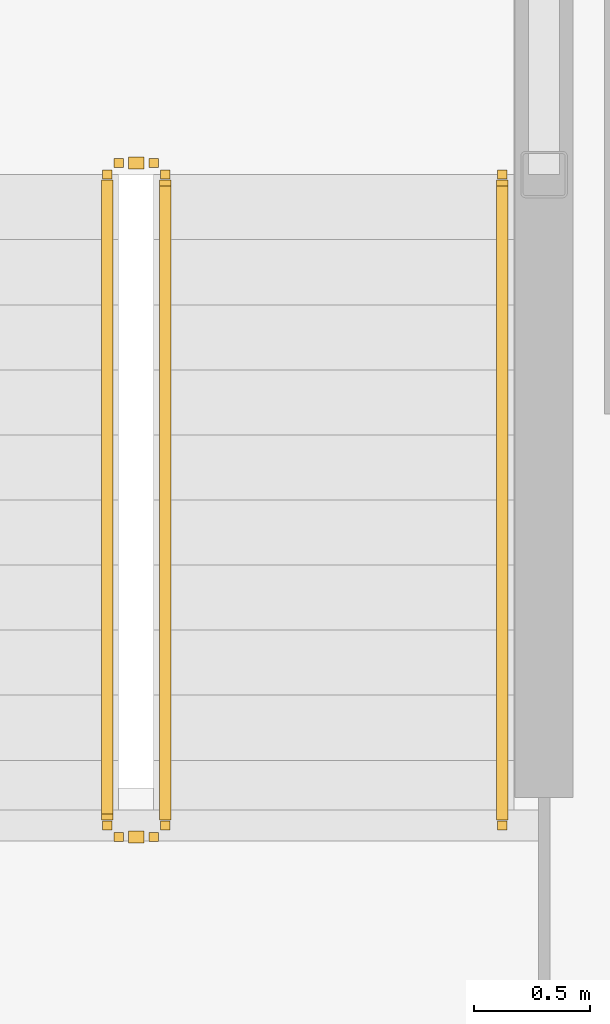
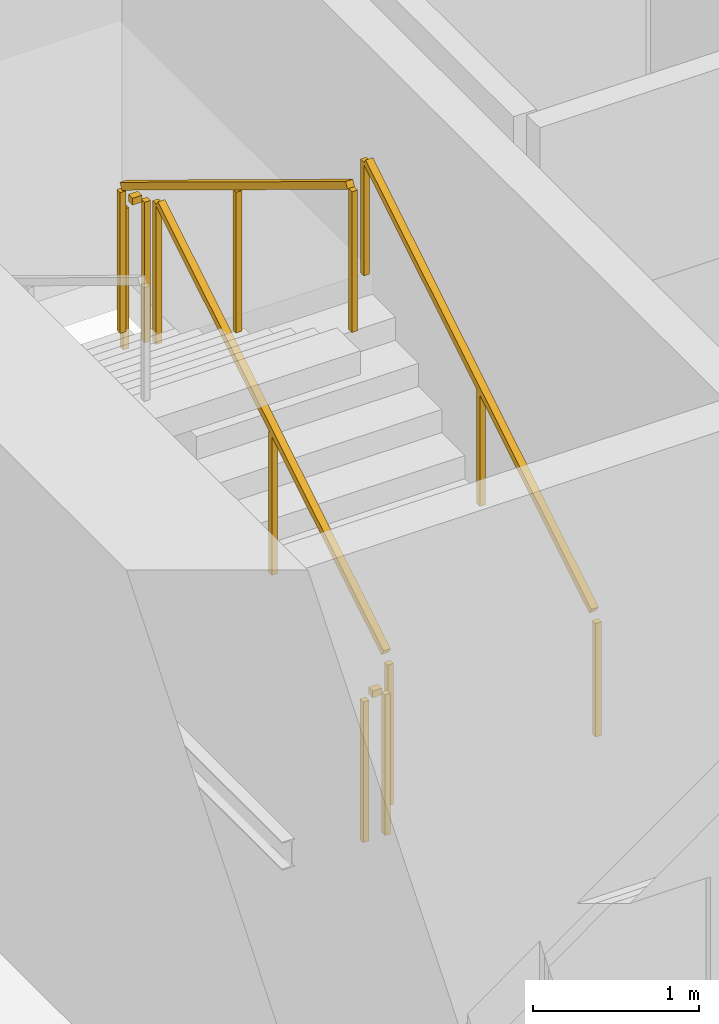
# One storey, part 26 of 31: 5 railings.
"""IFC4 building model written with IfcOpenShell, lengths in metres."""

from ifc_helpers import new_model, si_unit, direction, frame, origin, origin_2d, place, context, subcontext, project, spatial, rectangle, extrude, material, type_object, element, save


model = new_model("IFC4")

# Units and contexts
model_context = context("Model", 3, precision=1e-05, world=origin(), true_north=direction((0.0, 1.0)))
body_context = subcontext(model_context, "Body", "Model", "MODEL_VIEW")
ifc_project = project(units=[si_unit("LENGTHUNIT", "METRE"), si_unit("AREAUNIT", "SQUARE_METRE"), si_unit("VOLUMEUNIT", "CUBIC_METRE"), si_unit("PLANEANGLEUNIT", "RADIAN"), si_unit("MASSUNIT", "GRAM", prefix="KILO")], contexts=[model_context])

# Site, building, storey
site_placement = place(None, origin())
site = spatial("IfcSite", under=ifc_project, at=site_placement, CompositionType="ELEMENT")
building_placement = place(site_placement, origin())
building = spatial("IfcBuilding", under=site, at=building_placement, Name="Kazma Halo Residences", CompositionType="ELEMENT")
storey_placement = place(building_placement, frame((0.0, 0.0, 41.39990234375)))
storey = spatial("IfcBuildingStorey", under=building, at=storey_placement, Name="L09", CompositionType="ELEMENT", Elevation=41.39990234375)

# Railings
ifc_material_1 = material(Name="Painted Steel S355", Category="steel")
railing_type_1 = type_object("IfcRailingType", Name="RLG-STAIR-GRD-1100", PredefinedType="GUARDRAIL", material=ifc_material_1)
railing_1_placement = place(storey_placement, frame((39.550048828125, 39.949951171875, 0.170654296875)))
element("IfcRailing", 1, at=railing_1_placement, inside=storey, type_object=railing_type_1, Name="L09 ST-01 stair guard 1", PredefinedType="GUARDRAIL", context=body_context, shape_type="SweptSolid", body=[
    extrude(rectangle(XDim=0.050048828125, YDim=0.050048828125, at=origin_2d()), frame((0.0, 0.036376953125, 1.09716796875), z_axis=(0.0, 0.854202870247, 0.519939858505), x_axis=(-1.0, 0.0, 0.0)), (0.0, 0.0, 1.0), 3.19287109375),
    extrude(rectangle(XDim=0.0400390625, YDim=0.0400390625, at=origin_2d()), origin(), (0.0, 0.0, 1.0), 1.0380859375),
    extrude(rectangle(XDim=0.0400390625, YDim=0.0400390625, at=origin_2d()), frame((0.0, 1.39990234375, 0.85205078125)), (0.0, 0.0, 1.0), 1.0380859375),
    extrude(rectangle(XDim=0.0400390625, YDim=0.0400390625, at=origin_2d()), frame((0.0, 2.800048828125, 1.704345703125)), (0.0, 0.0, 1.0), 1.0380859375),
])
railing_2_placement = place(storey_placement, frame((39.5, 42.800048828125, 1.875)))
element("IfcRailing", 2, at=railing_2_placement, inside=storey, type_object=railing_type_1, Name="L09 ST-01 stair guard 2", PredefinedType="GUARDRAIL", context=body_context, shape_type="SweptSolid", body=[
    extrude(rectangle(XDim=0.050048828125, YDim=0.050048828125, at=origin_2d()), frame((-0.04248046875, 0.0, 1.0751953125), z_axis=(-1.0, 0.0, 0.0), x_axis=(0.0, -1.0, 0.0)), (0.0, 0.0, 1.0), 0.06494140625),
    extrude(rectangle(XDim=0.0400390625, YDim=0.0400390625, at=origin_2d()), origin(), (0.0, 0.0, 1.0), 1.0380859375),
    extrude(rectangle(XDim=0.0400390625, YDim=0.0400390625, at=origin_2d()), frame((-0.14990234375, 0.0, 0.0)), (0.0, 0.0, 1.0), 1.0380859375),
])
railing_3_placement = place(storey_placement, frame((39.300048828125, 42.75, 2.045654296875)))
element("IfcRailing", 3, at=railing_3_placement, inside=storey, type_object=railing_type_1, Name="L09 ST-01 stair guard 3", PredefinedType="GUARDRAIL", context=body_context, shape_type="SweptSolid", body=[
    extrude(rectangle(XDim=0.050048828125, YDim=0.050048828125, at=origin_2d()), frame((0.0, -0.036376953125, 1.09716796875), z_axis=(0.0, -0.854202870247, 0.519939858505), x_axis=(1.0, 0.0, 0.0)), (0.0, 0.0, 1.0), 3.19287109375),
    extrude(rectangle(XDim=0.0400390625, YDim=0.0400390625, at=origin_2d()), origin(), (0.0, 0.0, 1.0), 1.0380859375),
    extrude(rectangle(XDim=0.0400390625, YDim=0.0400390625, at=origin_2d()), frame((0.0, -1.39990234375, 0.85205078125)), (0.0, 0.0, 1.0), 1.0380859375),
    extrude(rectangle(XDim=0.0400390625, YDim=0.0400390625, at=origin_2d()), frame((0.0, -2.800048828125, 1.704345703125)), (0.0, 0.0, 1.0), 1.0380859375),
])
railing_4_placement = place(storey_placement, frame((39.5, 39.89990234375, 0.0)))
element("IfcRailing", 4, at=railing_4_placement, inside=storey, type_object=railing_type_1, Name="L09 ST-01 stair guard 4", PredefinedType="GUARDRAIL", context=body_context, shape_type="SweptSolid", body=[
    extrude(rectangle(XDim=0.050048828125, YDim=0.050048828125, at=origin_2d()), frame((-0.04248046875, 0.0, 1.0751953125), z_axis=(-1.0, 0.0, 0.0), x_axis=(0.0, -1.0, 0.0)), (0.0, 0.0, 1.0), 0.06494140625),
    extrude(rectangle(XDim=0.0400390625, YDim=0.0400390625, at=origin_2d()), origin(), (0.0, 0.0, 1.0), 1.0380859375),
    extrude(rectangle(XDim=0.0400390625, YDim=0.0400390625, at=origin_2d()), frame((-0.14990234375, 0.0, 0.0)), (0.0, 0.0, 1.0), 1.0380859375),
])
ifc_material_2 = material(Name="Brushed Stainless Steel", Category="steel")
railing_type_2 = type_object("IfcRailingType", Name="RLG-STAIR-HND-900", PredefinedType="HANDRAIL", material=ifc_material_2)
railing_5_placement = place(storey_placement, frame((41.0, 39.949951171875, 0.170654296875)))
element("IfcRailing", 5, at=railing_5_placement, inside=storey, type_object=railing_type_2, Name="L09 ST-01 stair handrail 1", PredefinedType="HANDRAIL", context=body_context, shape_type="SweptSolid", body=[
    extrude(rectangle(XDim=0.050048828125, YDim=0.050048828125, at=origin_2d()), frame((0.0, 0.036376953125, 0.89697265625), z_axis=(0.0, 0.854202870247, 0.519939858505), x_axis=(-1.0, 0.0, 0.0)), (0.0, 0.0, 1.0), 3.19287109375),
    extrude(rectangle(XDim=0.0400390625, YDim=0.0400390625, at=origin_2d()), origin(), (0.0, 0.0, 1.0), 0.837890625),
    extrude(rectangle(XDim=0.0400390625, YDim=0.0400390625, at=origin_2d()), frame((0.0, 1.39990234375, 0.85205078125)), (0.0, 0.0, 1.0), 0.837890625),
    extrude(rectangle(XDim=0.0400390625, YDim=0.0400390625, at=origin_2d()), frame((0.0, 2.800048828125, 1.704345703125)), (0.0, 0.0, 1.0), 0.837890625),
])

save(model, "model.ifc")
